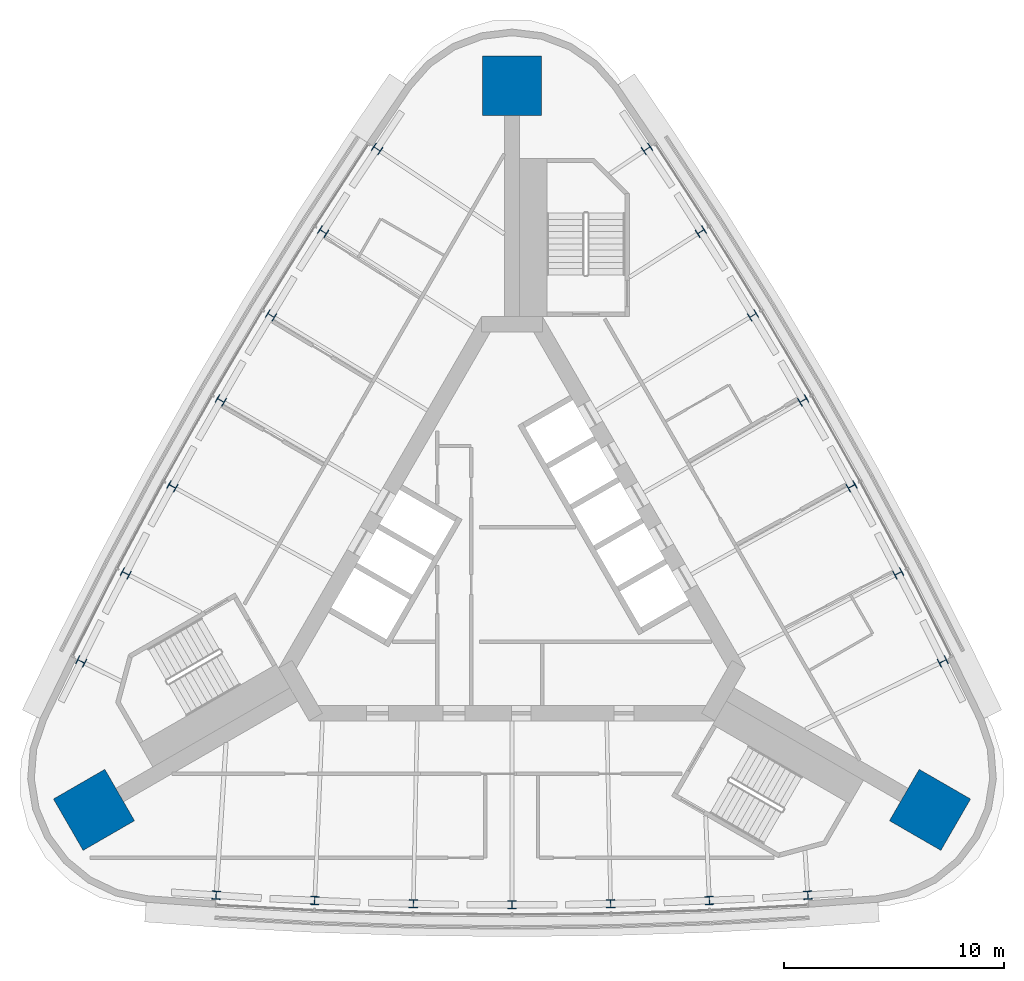
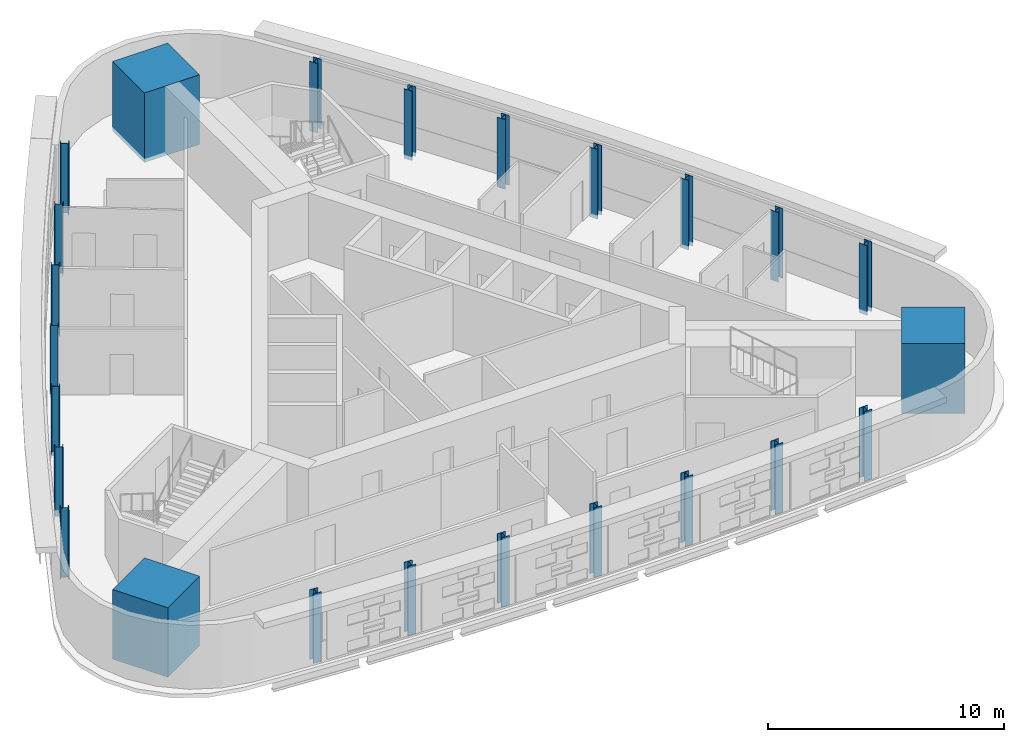
# One storey, part 1 of 10: 24 columns.
"""IFC4 building model written with IfcOpenShell, lengths in metres."""

from ifc_helpers import new_model, si_unit, direction, frame, origin, origin_2d, place, context, subcontext, project, spatial, rectangle, i_section, extrude, material, material_profile, profile_set, type_object, element, save


model = new_model("IFC4")

# Units and contexts
model_context = context("Model", 3, precision=1e-05, world=origin(), true_north=direction((0.0, 1.0)))
body_context = subcontext(model_context, "Body", "Model", "MODEL_VIEW")
ifc_project = project(units=[si_unit("LENGTHUNIT", "METRE"), si_unit("AREAUNIT", "SQUARE_METRE"), si_unit("VOLUMEUNIT", "CUBIC_METRE"), si_unit("PLANEANGLEUNIT", "RADIAN"), si_unit("MASSUNIT", "GRAM", prefix="KILO")], contexts=[model_context])

# Site, building, storey
site_placement = place(None, origin())
site = spatial("IfcSite", under=ifc_project, at=site_placement, CompositionType="ELEMENT")
building_placement = place(site_placement, origin())
building = spatial("IfcBuilding", under=site, at=building_placement, Name="Noor Cloister Tower", CompositionType="ELEMENT")
storey_placement = place(building_placement, frame((0.0, 0.0, 192.300048828125)))
storey = spatial("IfcBuildingStorey", under=building, at=storey_placement, Name="L49", CompositionType="ELEMENT", Elevation=192.300048828125)

# Columns
ifc_material_1 = material(Name="Steel ASTM A992 Gr 50", Category="steel")
ifc_material_profile_1 = material_profile(ifc_material_1, i_section(OverallWidth=0.39404296875, OverallDepth=0.3759765625, WebThickness=0.017333984375, FlangeThickness=0.027587890625, FilletRadius=0.01513671875, at=origin_2d()), Name="W360x216")
ifc_profile_set_1 = profile_set([ifc_material_profile_1], Name="Steel ASTM A992 Gr 50")
column_type_1 = type_object("IfcColumnType", Name="Column W360x216", PredefinedType="COLUMN", material=ifc_profile_set_1)
for number, where, z_axis, x_axis, name in (
    (1, (-6.1376953125, 19.079833984375, -0.199951171875), (0.0, 0.0, 1.0), (-0.555130311688, -0.83176339006, 0.0), "Column NW 01 L49"),
    (2, (-8.588623046875, 15.320068359375, -0.199951171875), (0.0, 0.0, 1.0), (-0.537002141475, -0.843580879377, 0.0), "Column NW 02 L49"),
    (3, (-10.95751953125, 11.50830078125, -0.199951171875), (0.0, 0.0, 1.0), (-0.518622501946, -0.855003333605, 0.0), "Column NW 03 L49"),
    (4, (-13.243408203125, 7.64599609375, -0.199951171875), (0.0, 0.0, 1.0), (-0.5, -0.866025403784, 0.0), "Column NW 04 L49"),
    (5, (-15.4453125, 3.7353515625, -0.199951171875), (0.0, 0.0, 1.0), (-0.481143356249, -0.876641928462, 0.0), "Column NW 05 L49"),
    (6, (-17.56201171875, -0.22216796875, -0.199951171875), (0.0, 0.0, 1.0), (-0.46206140095, -0.886847936093, 0.0), "Column NW 06 L49"),
    (7, (-19.592529296875, -4.224609375, -0.199951171875), (0.0, 0.0, 1.0), (-0.442763069886, -0.896638647363, 0.0), "Column NW 07 L49"),
    (8, (-13.454833984375, -14.855224609375, -0.199951171875), (0.0, 0.0, 1.0), (0.997893381574, -0.064875257303, 0.0), "Column S 01 L49"),
    (9, (-8.973388671875, -15.097900390625, -0.199951171875), (0.0, 0.0, 1.0), (0.999063542425, -0.043267056715, 0.0), "Column S 02 L49"),
    (10, (-4.48779296875, -15.24365234375, -0.199951171875), (0.0, 0.0, 1.0), (0.999765858195, -0.021638594857, 0.0), "Column S 03 L49"),
    (11, (0.0, -15.292236328125, -0.199951171875), (0.0, 0.0, 1.0), (1.0, 0.0, 0.0), "Column S 04 L49"),
    (12, (4.48779296875, -15.24365234375, -0.199951171875), (0.0, 0.0, 1.0), (0.999765858195, 0.021638594857, 0.0), "Column S 05 L49"),
    (13, (8.973388671875, -15.097900390625, -0.199951171875), (0.0, 0.0, 1.0), (0.999063542425, 0.043267056715, 0.0), "Column S 06 L49"),
    (14, (13.454833984375, -14.855224609375, -0.199951171875), (0.0, 0.0, 1.0), (0.997893381574, 0.064875257303, 0.0), "Column S 07 L49"),
    (15, (19.592529296875, -4.224609375, -0.199951171875), (0.0, 0.0, 1.0), (-0.442763069886, 0.896638647363, 0.0), "Column NE 01 L49"),
    (16, (17.56201171875, -0.22216796875, -0.199951171875), (0.0, 0.0, 1.0), (-0.46206140095, 0.886847936093, 0.0), "Column NE 02 L49"),
    (17, (15.4453125, 3.7353515625, -0.199951171875), (0.0, 0.0, 1.0), (-0.481143356249, 0.876641928462, 0.0), "Column NE 03 L49"),
    (18, (13.243408203125, 7.64599609375, -0.199951171875), (0.0, 0.0, 1.0), (-0.5, 0.866025403784, 0.0), "Column NE 04 L49"),
    (19, (10.95751953125, 11.50830078125, -0.199951171875), (0.0, 0.0, 1.0), (-0.518622501946, 0.855003333605, 0.0), "Column NE 05 L49"),
    (20, (8.588623046875, 15.320068359375, -0.199951171875), (0.0, 0.0, 1.0), (-0.537002141475, 0.843580879377, 0.0), "Column NE 06 L49"),
    (21, (6.1376953125, 19.079833984375, -0.199951171875), (0.0, 0.0, 1.0), (-0.555130311688, 0.83176339006, 0.0), "Column NE 07 L49"),
):
    element("IfcColumn", number, at=place(storey_placement, frame(where, z_axis=z_axis, x_axis=x_axis)), inside=storey, type_object=column_type_1, Name=name, PredefinedType="COLUMN", context=body_context, shape_type="SweptSolid", body=[
        extrude(i_section(OverallWidth=0.39404296875, OverallDepth=0.3759765625, WebThickness=0.017333984375, FlangeThickness=0.027587890625, FilletRadius=0.01513671875, at=origin_2d()), origin(), (0.0, 0.0, 1.0), 3.599853515625),
    ])
ifc_material_2 = material(Name="Concrete C70/85", Category="concrete")
ifc_material_profile_2 = material_profile(ifc_material_2, rectangle(XDim=2.699951171875, YDim=2.699951171875, at=origin_2d()), Name="RC 2700x2700")
ifc_profile_set_2 = profile_set([ifc_material_profile_2], Name="Concrete C70/85")
column_type_2 = type_object("IfcColumnType", Name="Corner pier 2700 x 2700 C70/85", PredefinedType="COLUMN", material=ifc_profile_set_2)
for number, where, z_axis, x_axis, name in (
    (22, (0.0, 21.950927734375, -0.199951171875), (0.0, 0.0, 1.0), (0.0, 1.0, 0.0), "Corner pier N L49"),
    (23, (-19.010009765625, -10.9755859375, -0.199951171875), (0.0, 0.0, 1.0), (-0.866025403784, -0.5, 0.0), "Corner pier SW L49"),
    (24, (19.010009765625, -10.9755859375, -0.199951171875), (0.0, 0.0, 1.0), (0.866025403784, -0.5, 0.0), "Corner pier SE L49"),
):
    element("IfcColumn", number, at=place(storey_placement, frame(where, z_axis=z_axis, x_axis=x_axis)), inside=storey, type_object=column_type_2, Name=name, PredefinedType="COLUMN", context=body_context, shape_type="SweptSolid", body=[
        extrude(rectangle(XDim=2.699951171875, YDim=2.699951171875, at=origin_2d()), origin(), (0.0, 0.0, 1.0), 3.599853515625),
    ])

save(model, "model.ifc")
